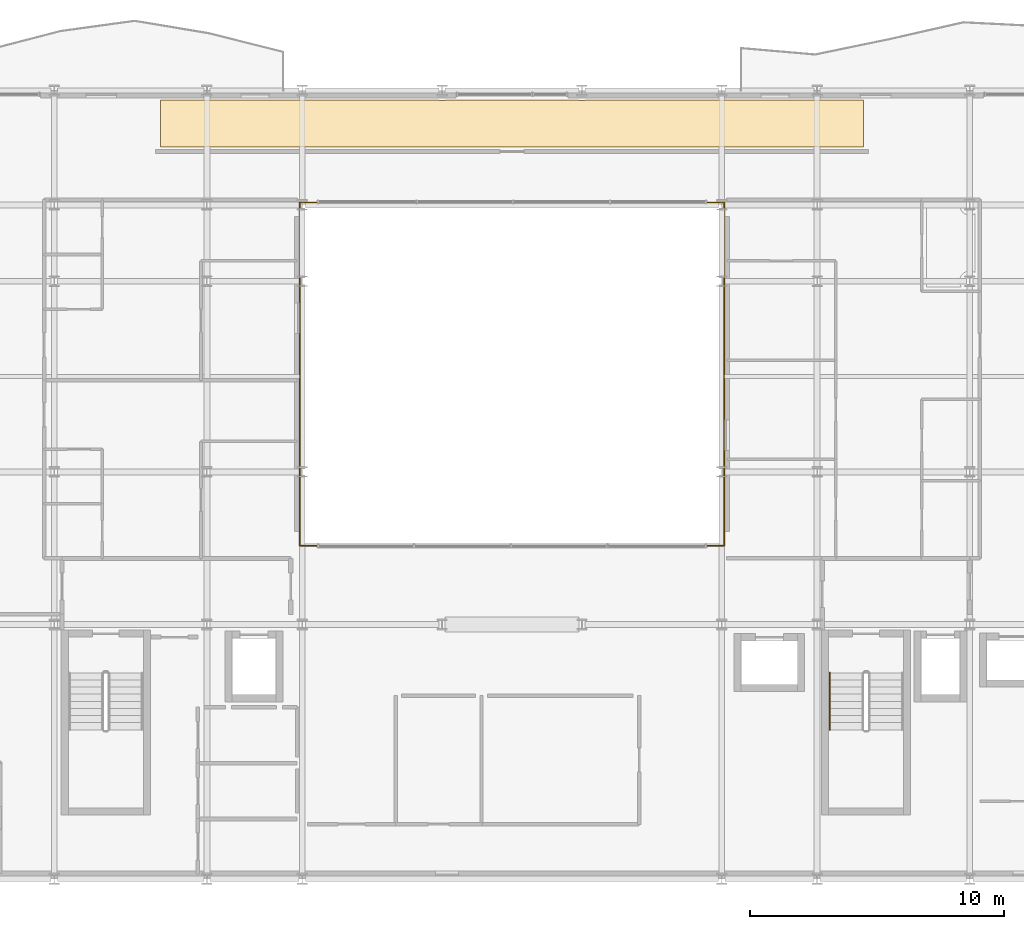
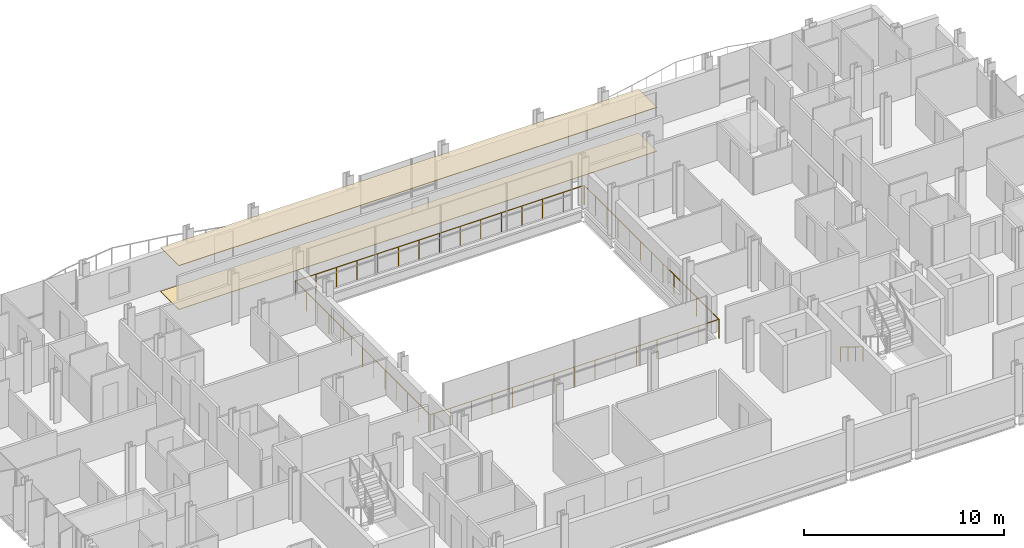
# One storey, part 37 of 39: 3 railings, 2 coverings.
"""IFC4 building model written with IfcOpenShell, lengths in metres."""

from ifc_helpers import new_model, si_unit, direction, frame, origin, origin_2d, place, context, subcontext, project, spatial, polyline, circle, outline, extrude, material, layer, layer_set, type_object, element, save


model = new_model("IFC4")

# Units and contexts
model_context = context("Model", 3, precision=1e-05, world=origin(), true_north=direction((0.0, 1.0)))
body_context = subcontext(model_context, "Body", "Model", "MODEL_VIEW")
ifc_project = project(units=[si_unit("LENGTHUNIT", "METRE"), si_unit("AREAUNIT", "SQUARE_METRE"), si_unit("VOLUMEUNIT", "CUBIC_METRE"), si_unit("PLANEANGLEUNIT", "RADIAN"), si_unit("MASSUNIT", "GRAM", prefix="KILO")], contexts=[model_context])

# Site, building, storey
site_placement = place(None, origin())
site = spatial("IfcSite", under=ifc_project, at=site_placement, CompositionType="ELEMENT")
building_placement = place(site_placement, origin())
building = spatial("IfcBuilding", under=site, at=building_placement, Name="Brevholm Reach", CompositionType="ELEMENT")
storey_placement = place(building_placement, frame((0.0, 0.0, 109.699951171875)))
storey = spatial("IfcBuildingStorey", under=building, at=storey_placement, Name="L32", CompositionType="ELEMENT", Elevation=109.699951171875)

# Coverings
ifc_material_1 = material(Name="Moisture-Resistant Skimmed Gypsum Plasterboard Ceiling", Category="gypsum")
ifc_layer_1 = layer(ifc_material_1, 0.030029296875)
ifc_layer_set_1 = layer_set([ifc_layer_1], Name="Moisture-Resistant Skimmed Gypsum Plasterboard Ceiling")
covering_type_1 = type_object("IfcCoveringType", Name="COV-CLG-GYP", PredefinedType="CEILING", material=ifc_layer_set_1)
covering_1_placement = place(storey_placement, frame((0.0, 0.0, 2.679931640625)))
element("IfcCovering", 1, at=covering_1_placement, inside=storey, type_object=covering_type_1, Name="L32 Suspended Ceiling L32-75", PredefinedType="CEILING", context=body_context, shape_type="SweptSolid", body=[
    extrude(outline(polyline([(16.179931640625, 30.6201171875), (17.876220703125, 30.6201171875), (17.8837890625, 30.6171875), (17.922119140625, 30.607666015625), (17.960693359375, 30.601806640625), (18.0, 30.60009765625), (18.039306640625, 30.601806640625), (18.077880859375, 30.607666015625), (18.1162109375, 30.6171875), (18.123779296875, 30.6201171875), (21.626220703125, 30.6201171875), (21.6337890625, 30.6171875), (21.672119140625, 30.607666015625), (21.710693359375, 30.601806640625), (21.75, 30.60009765625), (21.789306640625, 30.601806640625), (21.827880859375, 30.607666015625), (21.8662109375, 30.6171875), (21.873779296875, 30.6201171875), (27.126220703125, 30.6201171875), (27.1337890625, 30.6171875), (27.172119140625, 30.607666015625), (27.210693359375, 30.601806640625), (27.25, 30.60009765625), (27.289306640625, 30.601806640625), (27.327880859375, 30.607666015625), (27.3662109375, 30.6171875), (27.373779296875, 30.6201171875), (32.626220703125, 30.6201171875), (32.6337890625, 30.6171875), (32.672119140625, 30.607666015625), (32.710693359375, 30.601806640625), (32.75, 30.60009765625), (32.789306640625, 30.601806640625), (32.827880859375, 30.607666015625), (32.8662109375, 30.6171875), (32.873779296875, 30.6201171875), (38.126220703125, 30.6201171875), (38.1337890625, 30.6171875), (38.172119140625, 30.607666015625), (38.210693359375, 30.601806640625), (38.25, 30.60009765625), (38.289306640625, 30.601806640625), (38.327880859375, 30.607666015625), (38.3662109375, 30.6171875), (38.373779296875, 30.6201171875), (41.876220703125, 30.6201171875), (41.8837890625, 30.6171875), (41.922119140625, 30.607666015625), (41.960693359375, 30.601806640625), (42.0, 30.60009765625), (42.039306640625, 30.601806640625), (42.077880859375, 30.607666015625), (42.1162109375, 30.6171875), (42.123779296875, 30.6201171875), (43.820068359375, 30.6201171875), (43.820068359375, 28.783935546875), (16.179931640625, 28.783935546875), (16.179931640625, 30.6201171875)])), origin(), (0.0, 0.0, 1.0), 0.030029296875),
])
ifc_material_2 = material(Name="Honed Portland-Aggregate Resin Terrazzo Flooring", Category="concrete")
ifc_layer_2 = layer(ifc_material_2, 0.031982421875)
ifc_layer_set_2 = layer_set([ifc_layer_2], Name="Honed Portland-Aggregate Resin Terrazzo Flooring")
covering_type_2 = type_object("IfcCoveringType", Name="COV-FLR-TRZ", PredefinedType="FLOORING", material=ifc_layer_set_2)
covering_2_placement = place(storey_placement, origin())
element("IfcCovering", 2, at=covering_2_placement, inside=storey, type_object=covering_type_2, Name="L32 Floor Finish L32-75", PredefinedType="FLOORING", context=body_context, shape_type="SweptSolid", body=[
    extrude(outline(polyline([(16.179931640625, 30.6201171875), (17.876220703125, 30.6201171875), (17.8837890625, 30.6171875), (17.922119140625, 30.607666015625), (17.960693359375, 30.601806640625), (18.0, 30.60009765625), (18.039306640625, 30.601806640625), (18.077880859375, 30.607666015625), (18.1162109375, 30.6171875), (18.123779296875, 30.6201171875), (21.626220703125, 30.6201171875), (21.6337890625, 30.6171875), (21.672119140625, 30.607666015625), (21.710693359375, 30.601806640625), (21.75, 30.60009765625), (21.789306640625, 30.601806640625), (21.827880859375, 30.607666015625), (21.8662109375, 30.6171875), (21.873779296875, 30.6201171875), (27.126220703125, 30.6201171875), (27.1337890625, 30.6171875), (27.172119140625, 30.607666015625), (27.210693359375, 30.601806640625), (27.25, 30.60009765625), (27.289306640625, 30.601806640625), (27.327880859375, 30.607666015625), (27.3662109375, 30.6171875), (27.373779296875, 30.6201171875), (32.626220703125, 30.6201171875), (32.6337890625, 30.6171875), (32.672119140625, 30.607666015625), (32.710693359375, 30.601806640625), (32.75, 30.60009765625), (32.789306640625, 30.601806640625), (32.827880859375, 30.607666015625), (32.8662109375, 30.6171875), (32.873779296875, 30.6201171875), (38.126220703125, 30.6201171875), (38.1337890625, 30.6171875), (38.172119140625, 30.607666015625), (38.210693359375, 30.601806640625), (38.25, 30.60009765625), (38.289306640625, 30.601806640625), (38.327880859375, 30.607666015625), (38.3662109375, 30.6171875), (38.373779296875, 30.6201171875), (41.876220703125, 30.6201171875), (41.8837890625, 30.6171875), (41.922119140625, 30.607666015625), (41.960693359375, 30.601806640625), (42.0, 30.60009765625), (42.039306640625, 30.601806640625), (42.077880859375, 30.607666015625), (42.1162109375, 30.6171875), (42.123779296875, 30.6201171875), (43.820068359375, 30.6201171875), (43.820068359375, 28.783935546875), (16.179931640625, 28.783935546875), (16.179931640625, 30.6201171875)])), origin(), (0.0, 0.0, 1.0), 0.031982421875),
])

# Railings
ifc_material_3 = material(Name="Brushed Stainless Steel EN 1.4401 Continuous Handrail", Category="steel")
railing_type_1 = type_object("IfcRailingType", Name="RAL-HND-950", PredefinedType="HANDRAIL", material=ifc_material_3)
railing_1_placement = place(storey_placement, frame((42.5, 8.10009765625, 0.17236328125)))
element("IfcRailing", 3, at=railing_1_placement, inside=storey, type_object=railing_type_1, Name="L32 ST-2 stair handrail 1", PredefinedType="HANDRAIL", context=body_context, shape_type="SweptSolid", body=[
    extrude(circle(Radius=0.02392578125, at=origin_2d()), frame((0.0, 0.0, 0.8857421875), z_axis=(0.0, -0.85178898068, 0.523885037382), x_axis=(1.0, 0.0, 0.0)), (0.0, 0.0, 1.0), 2.629638671875),
    extrude(circle(Radius=0.02099609375, at=origin_2d()), origin(), (0.0, 0.0, 1.0), 0.86181640625),
    extrude(circle(Radius=0.02099609375, at=origin_2d()), frame((0.0, -0.74658203125, 0.459228515625)), (0.0, 0.0, 1.0), 0.86181640625),
    extrude(circle(Radius=0.02099609375, at=origin_2d()), frame((0.0, -1.493408203125, 0.91845703125)), (0.0, 0.0, 1.0), 0.86181640625),
    extrude(circle(Radius=0.02099609375, at=origin_2d()), frame((0.0, -2.239990234375, 1.377685546875)), (0.0, 0.0, 1.0), 0.86181640625),
])
ifc_material_4 = material(Name="Brushed Stainless Steel EN 1.4401 and Laminated Glass", Category="steel")
railing_type_2 = type_object("IfcRailingType", Name="RAL-TERR-1200", PredefinedType="BALUSTRADE", material=ifc_material_4)
railing_2_placement = place(storey_placement, frame((21.64990234375, 13.10009765625, 0.0)))
element("IfcRailing", 4, at=railing_2_placement, inside=storey, type_object=railing_type_2, Name="L32 Guard Balustrade RAL-L32-AT-VOID-SW", PredefinedType="BALUSTRADE", context=body_context, shape_type="SweptSolid", body=[
    extrude(circle(Radius=0.02392578125, at=origin_2d()), frame((0.0, 0.0, 1.17578125), z_axis=(1.0, 0.0, 0.0), x_axis=(0.0, 1.0, 0.0)), (0.0, 0.0, 1.0), 16.7001953125),
    extrude(circle(Radius=0.02392578125, at=origin_2d()), frame((16.7001953125, 0.0, 1.17578125), z_axis=(0.0, 1.0, 0.0), x_axis=(-1.0, 0.0, 0.0)), (0.0, 0.0, 1.0), 13.47998046875),
    extrude(circle(Radius=0.02099609375, at=origin_2d()), origin(), (0.0, 0.0, 1.0), 1.15185546875),
    extrude(circle(Radius=0.02099609375, at=origin_2d()), frame((1.19287109375, 0.0, 0.0)), (0.0, 0.0, 1.0), 1.15185546875),
    extrude(circle(Radius=0.02099609375, at=origin_2d()), frame((2.3857421875, 0.0, 0.0)), (0.0, 0.0, 1.0), 1.15185546875),
    extrude(circle(Radius=0.02099609375, at=origin_2d()), frame((3.57861328125, 0.0, 0.0)), (0.0, 0.0, 1.0), 1.15185546875),
    extrude(circle(Radius=0.02099609375, at=origin_2d()), frame((4.771484375, 0.0, 0.0)), (0.0, 0.0, 1.0), 1.15185546875),
    extrude(circle(Radius=0.02099609375, at=origin_2d()), frame((5.96435546875, 0.0, 0.0)), (0.0, 0.0, 1.0), 1.15185546875),
    extrude(circle(Radius=0.02099609375, at=origin_2d()), frame((7.1572265625, 0.0, 0.0)), (0.0, 0.0, 1.0), 1.15185546875),
    extrude(circle(Radius=0.02099609375, at=origin_2d()), frame((8.35009765625, 0.0, 0.0)), (0.0, 0.0, 1.0), 1.15185546875),
    extrude(circle(Radius=0.02099609375, at=origin_2d()), frame((9.54296875, 0.0, 0.0)), (0.0, 0.0, 1.0), 1.15185546875),
    extrude(circle(Radius=0.02099609375, at=origin_2d()), frame((10.73583984375, 0.0, 0.0)), (0.0, 0.0, 1.0), 1.15185546875),
    extrude(circle(Radius=0.02099609375, at=origin_2d()), frame((11.9287109375, 0.0, 0.0)), (0.0, 0.0, 1.0), 1.15185546875),
    extrude(circle(Radius=0.02099609375, at=origin_2d()), frame((13.12158203125, 0.0, 0.0)), (0.0, 0.0, 1.0), 1.15185546875),
    extrude(circle(Radius=0.02099609375, at=origin_2d()), frame((14.314453125, 0.0, 0.0)), (0.0, 0.0, 1.0), 1.15185546875),
    extrude(circle(Radius=0.02099609375, at=origin_2d()), frame((15.50732421875, 0.0, 0.0)), (0.0, 0.0, 1.0), 1.15185546875),
    extrude(circle(Radius=0.02099609375, at=origin_2d()), frame((16.7001953125, 0.0, 0.0)), (0.0, 0.0, 1.0), 1.15185546875),
    extrude(circle(Radius=0.02099609375, at=origin_2d()), frame((16.7001953125, 1.123291015625, 0.0)), (0.0, 0.0, 1.0), 1.15185546875),
    extrude(circle(Radius=0.02099609375, at=origin_2d()), frame((16.7001953125, 2.24658203125, 0.0)), (0.0, 0.0, 1.0), 1.15185546875),
    extrude(circle(Radius=0.02099609375, at=origin_2d()), frame((16.7001953125, 3.3701171875, 0.0)), (0.0, 0.0, 1.0), 1.15185546875),
    extrude(circle(Radius=0.02099609375, at=origin_2d()), frame((16.7001953125, 4.493408203125, 0.0)), (0.0, 0.0, 1.0), 1.15185546875),
    extrude(circle(Radius=0.02099609375, at=origin_2d()), frame((16.7001953125, 5.61669921875, 0.0)), (0.0, 0.0, 1.0), 1.15185546875),
    extrude(circle(Radius=0.02099609375, at=origin_2d()), frame((16.7001953125, 6.739990234375, 0.0)), (0.0, 0.0, 1.0), 1.15185546875),
    extrude(circle(Radius=0.02099609375, at=origin_2d()), frame((16.7001953125, 7.86328125, 0.0)), (0.0, 0.0, 1.0), 1.15185546875),
    extrude(circle(Radius=0.02099609375, at=origin_2d()), frame((16.7001953125, 8.986572265625, 0.0)), (0.0, 0.0, 1.0), 1.15185546875),
    extrude(circle(Radius=0.02099609375, at=origin_2d()), frame((16.7001953125, 10.10986328125, 0.0)), (0.0, 0.0, 1.0), 1.15185546875),
    extrude(circle(Radius=0.02099609375, at=origin_2d()), frame((16.7001953125, 11.2333984375, 0.0)), (0.0, 0.0, 1.0), 1.15185546875),
    extrude(circle(Radius=0.02099609375, at=origin_2d()), frame((16.7001953125, 12.356689453125, 0.0)), (0.0, 0.0, 1.0), 1.15185546875),
    extrude(circle(Radius=0.02099609375, at=origin_2d()), frame((16.7001953125, 13.47998046875, 0.0)), (0.0, 0.0, 1.0), 1.15185546875),
])
railing_3_placement = place(storey_placement, frame((38.330078125, 26.60009765625, 0.0)))
element("IfcRailing", 5, at=railing_3_placement, inside=storey, type_object=railing_type_2, Name="L32 Guard Balustrade RAL-L32-AT-VOID-NE", PredefinedType="BALUSTRADE", context=body_context, shape_type="SweptSolid", body=[
    extrude(circle(Radius=0.02392578125, at=origin_2d()), frame((0.0, 0.0, 1.17578125), z_axis=(-1.0, 0.0, 0.0), x_axis=(0.0, -1.0, 0.0)), (0.0, 0.0, 1.0), 16.68017578125),
    extrude(circle(Radius=0.02392578125, at=origin_2d()), frame((-16.68017578125, 0.0, 1.17578125), z_axis=(0.0, -1.0, 0.0), x_axis=(1.0, 0.0, 0.0)), (0.0, 0.0, 1.0), 13.47998046875),
    extrude(circle(Radius=0.02099609375, at=origin_2d()), origin(), (0.0, 0.0, 1.0), 1.15185546875),
    extrude(circle(Radius=0.02099609375, at=origin_2d()), frame((-1.19140625, 0.0, 0.0)), (0.0, 0.0, 1.0), 1.15185546875),
    extrude(circle(Radius=0.02099609375, at=origin_2d()), frame((-2.3828125, 0.0, 0.0)), (0.0, 0.0, 1.0), 1.15185546875),
    extrude(circle(Radius=0.02099609375, at=origin_2d()), frame((-3.57421875, 0.0, 0.0)), (0.0, 0.0, 1.0), 1.15185546875),
    extrude(circle(Radius=0.02099609375, at=origin_2d()), frame((-4.765869140625, 0.0, 0.0)), (0.0, 0.0, 1.0), 1.15185546875),
    extrude(circle(Radius=0.02099609375, at=origin_2d()), frame((-5.957275390625, 0.0, 0.0)), (0.0, 0.0, 1.0), 1.15185546875),
    extrude(circle(Radius=0.02099609375, at=origin_2d()), frame((-7.148681640625, 0.0, 0.0)), (0.0, 0.0, 1.0), 1.15185546875),
    extrude(circle(Radius=0.02099609375, at=origin_2d()), frame((-8.340087890625, 0.0, 0.0)), (0.0, 0.0, 1.0), 1.15185546875),
    extrude(circle(Radius=0.02099609375, at=origin_2d()), frame((-9.531494140625, 0.0, 0.0)), (0.0, 0.0, 1.0), 1.15185546875),
    extrude(circle(Radius=0.02099609375, at=origin_2d()), frame((-10.722900390625, 0.0, 0.0)), (0.0, 0.0, 1.0), 1.15185546875),
    extrude(circle(Radius=0.02099609375, at=origin_2d()), frame((-11.914306640625, 0.0, 0.0)), (0.0, 0.0, 1.0), 1.15185546875),
    extrude(circle(Radius=0.02099609375, at=origin_2d()), frame((-13.10595703125, 0.0, 0.0)), (0.0, 0.0, 1.0), 1.15185546875),
    extrude(circle(Radius=0.02099609375, at=origin_2d()), frame((-14.29736328125, 0.0, 0.0)), (0.0, 0.0, 1.0), 1.15185546875),
    extrude(circle(Radius=0.02099609375, at=origin_2d()), frame((-15.48876953125, 0.0, 0.0)), (0.0, 0.0, 1.0), 1.15185546875),
    extrude(circle(Radius=0.02099609375, at=origin_2d()), frame((-16.68017578125, 0.0, 0.0)), (0.0, 0.0, 1.0), 1.15185546875),
    extrude(circle(Radius=0.02099609375, at=origin_2d()), frame((-16.68017578125, -1.123291015625, 0.0)), (0.0, 0.0, 1.0), 1.15185546875),
    extrude(circle(Radius=0.02099609375, at=origin_2d()), frame((-16.68017578125, -2.24658203125, 0.0)), (0.0, 0.0, 1.0), 1.15185546875),
    extrude(circle(Radius=0.02099609375, at=origin_2d()), frame((-16.68017578125, -3.3701171875, 0.0)), (0.0, 0.0, 1.0), 1.15185546875),
    extrude(circle(Radius=0.02099609375, at=origin_2d()), frame((-16.68017578125, -4.493408203125, 0.0)), (0.0, 0.0, 1.0), 1.15185546875),
    extrude(circle(Radius=0.02099609375, at=origin_2d()), frame((-16.68017578125, -5.61669921875, 0.0)), (0.0, 0.0, 1.0), 1.15185546875),
    extrude(circle(Radius=0.02099609375, at=origin_2d()), frame((-16.68017578125, -6.739990234375, 0.0)), (0.0, 0.0, 1.0), 1.15185546875),
    extrude(circle(Radius=0.02099609375, at=origin_2d()), frame((-16.68017578125, -7.86328125, 0.0)), (0.0, 0.0, 1.0), 1.15185546875),
    extrude(circle(Radius=0.02099609375, at=origin_2d()), frame((-16.68017578125, -8.986572265625, 0.0)), (0.0, 0.0, 1.0), 1.15185546875),
    extrude(circle(Radius=0.02099609375, at=origin_2d()), frame((-16.68017578125, -10.10986328125, 0.0)), (0.0, 0.0, 1.0), 1.15185546875),
    extrude(circle(Radius=0.02099609375, at=origin_2d()), frame((-16.68017578125, -11.2333984375, 0.0)), (0.0, 0.0, 1.0), 1.15185546875),
    extrude(circle(Radius=0.02099609375, at=origin_2d()), frame((-16.68017578125, -12.356689453125, 0.0)), (0.0, 0.0, 1.0), 1.15185546875),
    extrude(circle(Radius=0.02099609375, at=origin_2d()), frame((-16.68017578125, -13.47998046875, 0.0)), (0.0, 0.0, 1.0), 1.15185546875),
])

save(model, "model.ifc")
